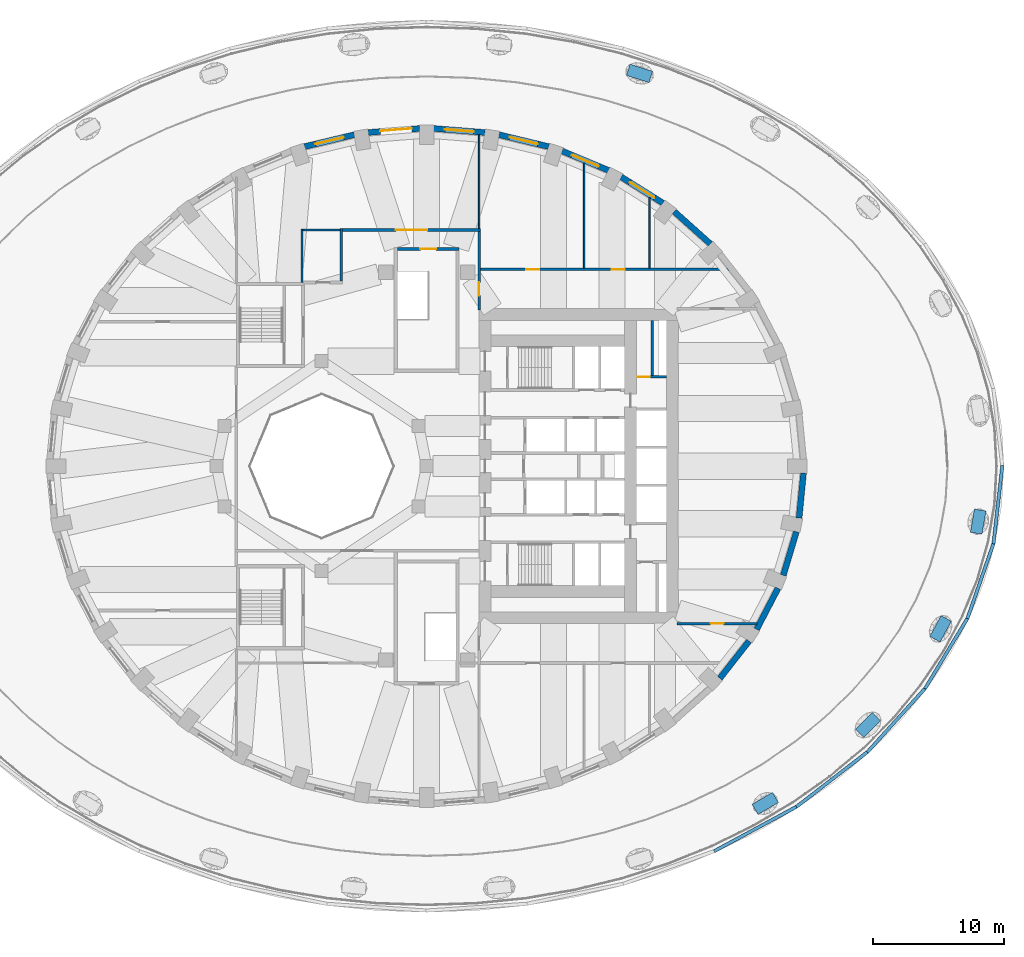
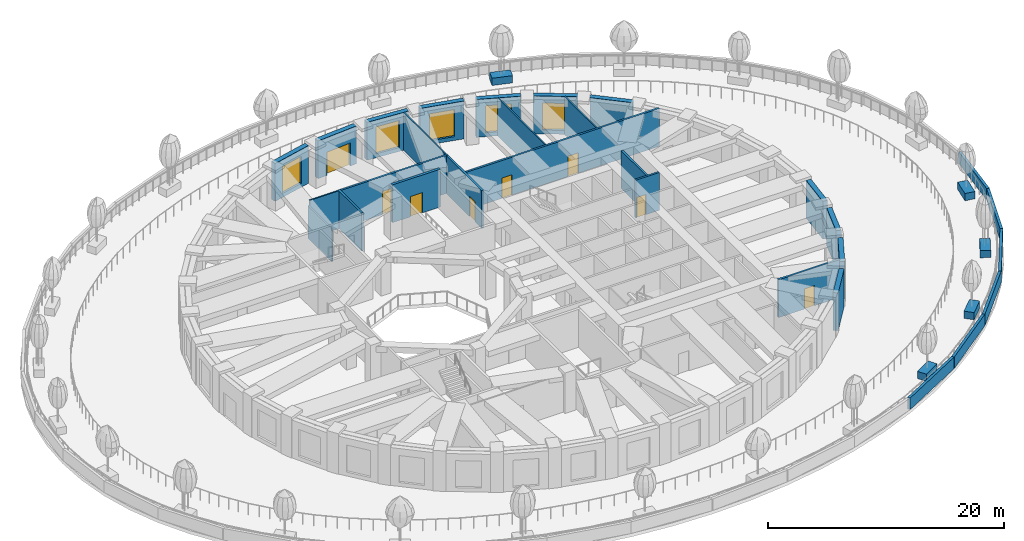
# One storey, part 7 of 17: 35 walls, 8 doors, 5 windows, 13 openings.
"""IFC4 building model written with IfcOpenShell, lengths in metres."""

from ifc_helpers import new_model, si_unit, direction, frame, frame_2d, origin, place, context, subcontext, project, spatial, rectangle, extrude, material, layer, layer_set, constituent, constituent_set, type_object, element, fill, save


model = new_model("IFC4")

# Units and contexts
model_context = context("Model", 3, precision=1e-05, world=origin(), true_north=direction((0.0, 1.0)))
body_context = subcontext(model_context, "Body", "Model", "MODEL_VIEW")
ifc_project = project(units=[si_unit("LENGTHUNIT", "METRE"), si_unit("AREAUNIT", "SQUARE_METRE"), si_unit("VOLUMEUNIT", "CUBIC_METRE"), si_unit("PLANEANGLEUNIT", "RADIAN"), si_unit("MASSUNIT", "GRAM", prefix="KILO")], contexts=[model_context])

# Site, building, storey
site_placement = place(None, origin())
site = spatial("IfcSite", under=ifc_project, at=site_placement, CompositionType="ELEMENT")
building_placement = place(site_placement, origin())
building = spatial("IfcBuilding", under=site, at=building_placement, Name="Taillehof Tower", CompositionType="ELEMENT")
storey_placement = place(building_placement, frame((0.0, 0.0, 17.5)))
storey = spatial("IfcBuildingStorey", under=building, at=storey_placement, Name="L03", CompositionType="ELEMENT", Elevation=17.5)

# Wall
ifc_material_1 = material(Name="Brick masonry", Category="masonry")
ifc_layer_1 = layer(ifc_material_1, 0.449951171875)
ifc_layer_set_1 = layer_set([ifc_layer_1], Name="Brick infill wall 450")
wall_type_1 = type_object("IfcWallType", Name="Brick infill wall 450", PredefinedType="SOLIDWALL", material=ifc_layer_set_1)
wall_1_placement = place(storey_placement, frame((21.626708984375, 16.943115234375, 0.0), z_axis=(0.0, 0.0, 1.0), x_axis=(-0.745526233716, 0.66647628228, 0.0)))
element("IfcWall", 1, at=wall_1_placement, inside=storey, type_object=wall_type_1, Name="Brick wall L03 bay 5", PredefinedType="SOLIDWALL", context=body_context, shape_type="SweptSolid", body=[
    extrude(rectangle(XDim=3.69677734375, YDim=0.449951171875, at=frame_2d((1.848388671875, 0.0))), origin(), (0.0, 0.0, 1.0), 3.919921875),
])

# Wall, opening, window
wall_2_placement = place(storey_placement, frame((18.02294921875, 20.043701171875, 0.0), z_axis=(0.0, 0.0, 1.0), x_axis=(-0.847635480093, 0.530579016629, 0.0)))
wall_2 = element("IfcWall", 2, at=wall_2_placement, inside=storey, type_object=wall_type_1, Name="Brick wall L03 bay 6", PredefinedType="SOLIDWALL", context=body_context, shape_type="SweptSolid", body=[
    extrude(rectangle(XDim=3.782470703125, YDim=0.449951171875, at=frame_2d((1.89111328125, 0.0))), origin(), (0.0, 0.0, 1.0), 3.919921875),
])
opening_1_placement = place(wall_2_placement, frame((0.791259765625, 0.0, 0.39990234375)))
opening_1 = element("IfcOpeningElement", 3, at=opening_1_placement, cuts=wall_2, Name="Opening W9", PredefinedType="OPENING", context=body_context, shape_type="SweptSolid", body=[
    extrude(rectangle(XDim=2.199951171875, YDim=2.800048828125, at=frame_2d((1.10009765625, 1.39990234375))), frame((0.0, 0.23486328125, 0.0), z_axis=(0.0, -1.0, 0.0), x_axis=(1.0, 0.0, 0.0)), (0.0, 0.0, 1.0), 0.469970703125),
])
ifc_material_2 = material(Name="Aluminium window frame with clear double glazing", Category="aluminium")
window_type = type_object("IfcWindowType", Name="Deep-set window 2200x2800", PartitioningType="SINGLE_PANEL", PredefinedType="WINDOW", material=ifc_material_2)
window_1_placement = place(opening_1_placement, origin())
window_1 = element("IfcWindow", 4, at=window_1_placement, inside=storey, type_object=window_type, Name="W9", OverallHeight=2.800048828125, OverallWidth=2.199951171875, PartitioningType="SINGLE_PANEL", PredefinedType="WINDOW", context=body_context, shape_type="SweptSolid", body=[
    extrude(rectangle(XDim=2.199951171875, YDim=2.800048828125, at=frame_2d((1.10009765625, 1.39990234375))), frame((0.0, 0.034912109375, 0.0), z_axis=(0.0, -1.0, 0.0), x_axis=(1.0, 0.0, 0.0)), (0.0, 0.0, 1.0), 0.06005859375),
])
fill(opening_1, window_1)

wall_3_placement = place(storey_placement, frame((13.875, 22.537353515625, 0.0), z_axis=(0.0, 0.0, 1.0), x_axis=(-0.923031964282, 0.384723267966, 0.0)))
wall_3 = element("IfcWall", 5, at=wall_3_placement, inside=storey, type_object=wall_type_1, Name="Brick wall L03 bay 7", PredefinedType="SOLIDWALL", context=body_context, shape_type="SweptSolid", body=[
    extrude(rectangle(XDim=3.8564453125, YDim=0.449951171875, at=frame_2d((1.92822265625, 0.0))), origin(), (0.0, 0.0, 1.0), 3.919921875),
])
opening_2_placement = place(wall_3_placement, frame((0.828125, 0.0, 0.39990234375)))
opening_2 = element("IfcOpeningElement", 6, at=opening_2_placement, cuts=wall_3, Name="Opening W9", PredefinedType="OPENING", context=body_context, shape_type="SweptSolid", body=[
    extrude(rectangle(XDim=2.199951171875, YDim=2.800048828125, at=frame_2d((1.10009765625, 1.39990234375))), frame((0.0, 0.23486328125, 0.0), z_axis=(0.0, -1.0, 0.0), x_axis=(1.0, 0.0, 0.0)), (0.0, 0.0, 1.0), 0.469970703125),
])
window_2_placement = place(opening_2_placement, origin())
window_2 = element("IfcWindow", 7, at=window_2_placement, inside=storey, type_object=window_type, Name="W9", OverallHeight=2.800048828125, OverallWidth=2.199951171875, PartitioningType="SINGLE_PANEL", PredefinedType="WINDOW", context=body_context, shape_type="SweptSolid", body=[
    extrude(rectangle(XDim=2.199951171875, YDim=2.800048828125, at=frame_2d((1.10009765625, 1.39990234375))), frame((0.0, 0.034912109375, 0.0), z_axis=(0.0, -1.0, 0.0), x_axis=(1.0, 0.0, 0.0)), (0.0, 0.0, 1.0), 0.06005859375),
])
fill(opening_2, window_2)

wall_4_placement = place(storey_placement, frame((9.3076171875, 24.349609375, 0.0), z_axis=(0.0, 0.0, 1.0), x_axis=(-0.972496561493, 0.232917233979, 0.0)))
wall_4 = element("IfcWall", 8, at=wall_4_placement, inside=storey, type_object=wall_type_1, Name="Brick wall L03 bay 8", PredefinedType="SOLIDWALL", context=body_context, shape_type="SweptSolid", body=[
    extrude(rectangle(XDim=3.910888671875, YDim=0.449951171875, at=frame_2d((1.95556640625, 0.0))), origin(), (0.0, 0.0, 1.0), 3.919921875),
])
opening_3_placement = place(wall_4_placement, frame((0.855224609375, 0.0, 0.39990234375)))
opening_3 = element("IfcOpeningElement", 9, at=opening_3_placement, cuts=wall_4, Name="Opening W9", PredefinedType="OPENING", context=body_context, shape_type="SweptSolid", body=[
    extrude(rectangle(XDim=2.199951171875, YDim=2.800048828125, at=frame_2d((1.10009765625, 1.39990234375))), frame((0.0, 0.23486328125, 0.0), z_axis=(0.0, -1.0, 0.0), x_axis=(1.0, 0.0, 0.0)), (0.0, 0.0, 1.0), 0.469970703125),
])
window_3_placement = place(opening_3_placement, origin())
window_3 = element("IfcWindow", 10, at=window_3_placement, inside=storey, type_object=window_type, Name="W9", OverallHeight=2.800048828125, OverallWidth=2.199951171875, PartitioningType="SINGLE_PANEL", PredefinedType="WINDOW", context=body_context, shape_type="SweptSolid", body=[
    extrude(rectangle(XDim=2.199951171875, YDim=2.800048828125, at=frame_2d((1.10009765625, 1.39990234375))), frame((0.0, 0.034912109375, 0.0), z_axis=(0.0, -1.0, 0.0), x_axis=(1.0, 0.0, 0.0)), (0.0, 0.0, 1.0), 0.06005859375),
])
fill(opening_3, window_3)

wall_5_placement = place(storey_placement, frame((4.457275390625, 25.42578125, 0.0), z_axis=(0.0, 0.0, 1.0), x_axis=(-0.996955972145, 0.077966592873, 0.0)))
wall_5 = element("IfcWall", 11, at=wall_5_placement, inside=storey, type_object=wall_type_1, Name="Brick wall L03 bay 9", PredefinedType="SOLIDWALL", context=body_context, shape_type="SweptSolid", body=[
    extrude(rectangle(XDim=3.939208984375, YDim=0.449951171875, at=frame_2d((1.9697265625, 0.0))), origin(), (0.0, 0.0, 1.0), 3.919921875),
])
opening_4_placement = place(wall_5_placement, frame((0.86962890625, 0.0, 0.39990234375)))
opening_4 = element("IfcOpeningElement", 12, at=opening_4_placement, cuts=wall_5, Name="Opening W9", PredefinedType="OPENING", context=body_context, shape_type="SweptSolid", body=[
    extrude(rectangle(XDim=2.199951171875, YDim=2.800048828125, at=frame_2d((1.10009765625, 1.39990234375))), frame((0.0, 0.23486328125, 0.0), z_axis=(0.0, -1.0, 0.0), x_axis=(1.0, 0.0, 0.0)), (0.0, 0.0, 1.0), 0.469970703125),
])
window_4_placement = place(opening_4_placement, origin())
window_4 = element("IfcWindow", 13, at=window_4_placement, inside=storey, type_object=window_type, Name="W9", OverallHeight=2.800048828125, OverallWidth=2.199951171875, PartitioningType="SINGLE_PANEL", PredefinedType="WINDOW", context=body_context, shape_type="SweptSolid", body=[
    extrude(rectangle(XDim=2.199951171875, YDim=2.800048828125, at=frame_2d((1.10009765625, 1.39990234375))), frame((0.0, 0.034912109375, 0.0), z_axis=(0.0, -1.0, 0.0), x_axis=(1.0, 0.0, 0.0)), (0.0, 0.0, 1.0), 0.06005859375),
])
fill(opening_4, window_4)

# Wall, opening, door
wall_6_placement = place(storey_placement, frame((-0.530029296875, 25.73291015625, 0.0), z_axis=(0.0, 0.0, 1.0), x_axis=(-0.996955972145, -0.077966592873, 0.0)))
wall_6 = element("IfcWall", 14, at=wall_6_placement, inside=storey, type_object=wall_type_1, Name="Brick wall L03 bay 10", PredefinedType="SOLIDWALL", context=body_context, shape_type="SweptSolid", body=[
    extrude(rectangle(XDim=3.939208984375, YDim=0.449951171875, at=frame_2d((1.9697265625, 0.0))), origin(), (0.0, 0.0, 1.0), 3.919921875),
])
opening_5_placement = place(wall_6_placement, frame((0.60009765625, 0.0, 0.0)))
opening_5 = element("IfcOpeningElement", 15, at=opening_5_placement, cuts=wall_6, Name="Opening D0391", PredefinedType="OPENING", context=body_context, shape_type="SweptSolid", body=[
    extrude(rectangle(XDim=2.39990234375, YDim=2.39990234375, at=frame_2d((1.199951171875, 1.199951171875))), frame((0.0, 0.23486328125, 0.0), z_axis=(0.0, -1.0, 0.0), x_axis=(1.0, 0.0, 0.0)), (0.0, 0.0, 1.0), 0.469970703125),
])
ifc_material_3 = material(Name="Aluminium door frame with clear laminated safety glass", Category="aluminium")
door_type_1 = type_object("IfcDoorType", Name="Terrace door 2400x2400", OperationType="DOUBLE_DOOR_DOUBLE_SWING", PredefinedType="DOOR", material=ifc_material_3)
door_1_placement = place(opening_5_placement, origin())
door_1 = element("IfcDoor", 16, at=door_1_placement, inside=storey, type_object=door_type_1, Name="Door D0391", OperationType="DOUBLE_DOOR_SINGLE_SWING", OverallHeight=2.39990234375, OverallWidth=2.39990234375, PredefinedType="DOOR", context=body_context, shape_type="SweptSolid", body=[
    extrude(rectangle(XDim=2.39990234375, YDim=2.39990234375, at=frame_2d((1.199951171875, 1.199951171875))), frame((0.0, -0.02490234375, 0.0), z_axis=(0.0, -1.0, 0.0), x_axis=(1.0, 0.0, 0.0)), (0.0, 0.0, 1.0), 0.050048828125),
])
fill(opening_5, door_1)

# Wall, opening, window
wall_7_placement = place(storey_placement, frame((-5.50439453125, 25.260498046875, 0.0), z_axis=(0.0, 0.0, 1.0), x_axis=(-0.972496561493, -0.232917233979, 0.0)))
wall_7 = element("IfcWall", 17, at=wall_7_placement, inside=storey, type_object=wall_type_1, Name="Brick wall L03 bay 11", PredefinedType="SOLIDWALL", context=body_context, shape_type="SweptSolid", body=[
    extrude(rectangle(XDim=3.910888671875, YDim=0.449951171875, at=frame_2d((1.95556640625, 0.0))), origin(), (0.0, 0.0, 1.0), 3.919921875),
])
opening_6_placement = place(wall_7_placement, frame((0.855224609375, 0.0, 0.39990234375)))
opening_6 = element("IfcOpeningElement", 18, at=opening_6_placement, cuts=wall_7, Name="Opening W9", PredefinedType="OPENING", context=body_context, shape_type="SweptSolid", body=[
    extrude(rectangle(XDim=2.199951171875, YDim=2.800048828125, at=frame_2d((1.10009765625, 1.39990234375))), frame((0.0, 0.23486328125, 0.0), z_axis=(0.0, -1.0, 0.0), x_axis=(1.0, 0.0, 0.0)), (0.0, 0.0, 1.0), 0.469970703125),
])
window_5_placement = place(opening_6_placement, origin())
window_5 = element("IfcWindow", 19, at=window_5_placement, inside=storey, type_object=window_type, Name="W9", OverallHeight=2.800048828125, OverallWidth=2.199951171875, PartitioningType="SINGLE_PANEL", PredefinedType="WINDOW", context=body_context, shape_type="SweptSolid", body=[
    extrude(rectangle(XDim=2.199951171875, YDim=2.800048828125, at=frame_2d((1.10009765625, 1.39990234375))), frame((0.0, 0.034912109375, 0.0), z_axis=(0.0, -1.0, 0.0), x_axis=(1.0, 0.0, 0.0)), (0.0, 0.0, 1.0), 0.06005859375),
])
fill(opening_6, window_5)

# Walls
wall_8_placement = place(storey_placement, frame((22.3515625, -16.169677734375, 0.0), z_axis=(0.0, 0.0, 1.0), x_axis=(0.616661975264, 0.787228053529, 0.0)))
element("IfcWall", 20, at=wall_8_placement, inside=storey, type_object=wall_type_1, Name="Brick wall L03 bay 33", PredefinedType="SOLIDWALL", context=body_context, shape_type="SweptSolid", body=[
    extrude(rectangle(XDim=3.60986328125, YDim=0.449951171875, at=frame_2d((1.804931640625, 0.0))), origin(), (0.0, 0.0, 1.0), 3.919921875),
])
wall_9_placement = place(storey_placement, frame((25.152099609375, -12.436767578125, 0.0), z_axis=(0.0, 0.0, 1.0), x_axis=(0.462492775226, 0.886623050041, 0.0)))
element("IfcWall", 21, at=wall_9_placement, inside=storey, type_object=wall_type_1, Name="Brick wall L03 bay 34", PredefinedType="SOLIDWALL", context=body_context, shape_type="SweptSolid", body=[
    extrude(rectangle(XDim=3.531982421875, YDim=0.449951171875, at=frame_2d((1.76611328125, 0.0))), origin(), (0.0, 0.0, 1.0), 3.919921875),
])
wall_10_placement = place(storey_placement, frame((27.184814453125, -8.322998046875, 0.0), z_axis=(0.0, 0.0, 1.0), x_axis=(0.287064133733, 0.957911364963, 0.0)))
element("IfcWall", 22, at=wall_10_placement, inside=storey, type_object=wall_type_1, Name="Brick wall L03 bay 35", PredefinedType="SOLIDWALL", context=body_context, shape_type="SweptSolid", body=[
    extrude(rectangle(XDim=3.473388671875, YDim=0.449951171875, at=frame_2d((1.73681640625, 0.0))), origin(), (0.0, 0.0, 1.0), 3.919921875),
])
wall_11_placement = place(storey_placement, frame((28.38671875, -3.95556640625, 0.0), z_axis=(0.0, 0.0, 1.0), x_axis=(0.097389581596, 0.995246336038, 0.0)))
element("IfcWall", 23, at=wall_11_placement, inside=storey, type_object=wall_type_1, Name="Brick wall L03 bay 36", PredefinedType="SOLIDWALL", context=body_context, shape_type="SweptSolid", body=[
    extrude(rectangle(XDim=3.44189453125, YDim=0.449951171875, at=frame_2d((1.720947265625, 0.0))), origin(), (0.0, 0.0, 1.0), 3.919921875),
])

# Wall, opening, door
ifc_material_4 = material(Name="Calcium silicate blockwork", Category="masonry")
ifc_layer_2 = layer(ifc_material_4, 0.199951171875)
ifc_layer_set_2 = layer_set([ifc_layer_2], Name="Compartment wall EI 60 200 mm")
wall_type_2 = type_object("IfcWallType", Name="Compartment wall EI 60 200 mm", PredefinedType="PARTITIONING", material=ifc_layer_set_2)
wall_12_placement = place(storey_placement, frame((19.10009765625, -12.0, 0.0), z_axis=(0.0, 0.0, 1.0), x_axis=(1.0, 0.0, 0.0)))
wall_12 = element("IfcWall", 24, at=wall_12_placement, inside=storey, type_object=wall_type_2, Name="Wall L03-09 / L03-16", PredefinedType="PARTITIONING", context=body_context, shape_type="SweptSolid", body=[
    extrude(rectangle(XDim=6.081787109375, YDim=0.199951171875, at=frame_2d((3.041015625, 0.0))), origin(), (0.0, 0.0, 1.0), 3.919921875),
])
opening_7_placement = place(wall_12_placement, frame((2.541015625, 0.0, 0.0)))
opening_7 = element("IfcOpeningElement", 25, at=opening_7_placement, cuts=wall_12, Name="Opening D0347", PredefinedType="OPENING", context=body_context, shape_type="SweptSolid", body=[
    extrude(rectangle(XDim=1.0, YDim=2.10009765625, at=frame_2d((0.5, 1.050048828125))), frame((0.0, 0.10986328125, 0.0), z_axis=(0.0, -1.0, 0.0), x_axis=(1.0, 0.0, 0.0)), (0.0, 0.0, 1.0), 0.219970703125),
])
ifc_material_5 = material(Name="Hollow metal door set")
door_type_2 = type_object("IfcDoorType", Name="Single door 1000 x 2100 FD60S", OperationType="SINGLE_SWING_LEFT", PredefinedType="DOOR", material=ifc_material_5)
door_2_placement = place(opening_7_placement, origin())
door_2 = element("IfcDoor", 26, at=door_2_placement, inside=storey, type_object=door_type_2, Name="Door D0347", OperationType="SINGLE_SWING_RIGHT", OverallHeight=2.10009765625, OverallWidth=1.0, PredefinedType="DOOR", context=body_context, shape_type="SweptSolid", body=[
    extrude(rectangle(XDim=1.0, YDim=2.10009765625, at=frame_2d((0.5, 1.050048828125))), frame((0.0, 0.02490234375, 0.0), z_axis=(0.0, -1.0, 0.0), x_axis=(1.0, 0.0, 0.0)), (0.0, 0.0, 1.0), 0.050048828125),
])
fill(opening_7, door_2)

# Wall, openings, doors
wall_13_placement = place(storey_placement, frame((4.10009765625, 15.0, 0.0), z_axis=(0.0, 0.0, 1.0), x_axis=(1.0, 0.0, 0.0)))
wall_13 = element("IfcWall", 27, at=wall_13_placement, inside=storey, type_object=wall_type_2, Name="Wall L03-08 / L03-10", PredefinedType="PARTITIONING", context=body_context, shape_type="SweptSolid", body=[
    extrude(rectangle(XDim=18.96240234375, YDim=0.199951171875, at=frame_2d((9.481201171875, 0.0))), origin(), (0.0, 0.0, 1.0), 3.919921875),
])
opening_8_placement = place(wall_13_placement, frame((3.5, 0.0, 0.0)))
opening_8 = element("IfcOpeningElement", 28, at=opening_8_placement, cuts=wall_13, Name="Opening D0355", PredefinedType="OPENING", context=body_context, shape_type="SweptSolid", body=[
    extrude(rectangle(XDim=1.0, YDim=2.10009765625, at=frame_2d((0.5, 1.050048828125))), frame((0.0, 0.10986328125, 0.0), z_axis=(0.0, -1.0, 0.0), x_axis=(1.0, 0.0, 0.0)), (0.0, 0.0, 1.0), 0.219970703125),
])
opening_9_placement = place(wall_13_placement, frame((10.0, 0.0, 0.0)))
opening_9 = element("IfcOpeningElement", 29, at=opening_9_placement, cuts=wall_13, Name="Opening D0356", PredefinedType="OPENING", context=body_context, shape_type="SweptSolid", body=[
    extrude(rectangle(XDim=1.0, YDim=2.10009765625, at=frame_2d((0.5, 1.050048828125))), frame((0.0, 0.10986328125, 0.0), z_axis=(0.0, -1.0, 0.0), x_axis=(1.0, 0.0, 0.0)), (0.0, 0.0, 1.0), 0.219970703125),
])
door_3_placement = place(opening_8_placement, origin())
door_3 = element("IfcDoor", 30, at=door_3_placement, inside=storey, type_object=door_type_2, Name="Door D0355", OperationType="SINGLE_SWING_LEFT", OverallHeight=2.10009765625, OverallWidth=1.0, PredefinedType="DOOR", context=body_context, shape_type="SweptSolid", body=[
    extrude(rectangle(XDim=1.0, YDim=2.10009765625, at=frame_2d((0.5, 1.050048828125))), frame((0.0, 0.02490234375, 0.0), z_axis=(0.0, -1.0, 0.0), x_axis=(1.0, 0.0, 0.0)), (0.0, 0.0, 1.0), 0.050048828125),
])
fill(opening_8, door_3)
door_4_placement = place(opening_9_placement, origin())
door_4 = element("IfcDoor", 31, at=door_4_placement, inside=storey, type_object=door_type_2, Name="Door D0356", OperationType="SINGLE_SWING_RIGHT", OverallHeight=2.10009765625, OverallWidth=1.0, PredefinedType="DOOR", context=body_context, shape_type="SweptSolid", body=[
    extrude(rectangle(XDim=1.0, YDim=2.10009765625, at=frame_2d((0.5, 1.050048828125))), frame((0.0, 0.02490234375, 0.0), z_axis=(0.0, -1.0, 0.0), x_axis=(1.0, 0.0, 0.0)), (0.0, 0.0, 1.0), 0.050048828125),
])
fill(opening_9, door_4)

# Wall, opening, door
wall_14_placement = place(storey_placement, frame((-6.39990234375, 18.0, 0.0), z_axis=(0.0, 0.0, 1.0), x_axis=(1.0, 0.0, 0.0)))
wall_14 = element("IfcWall", 32, at=wall_14_placement, inside=storey, type_object=wall_type_2, Name="Wall L03-04 / L03-19", PredefinedType="PARTITIONING", context=body_context, shape_type="SweptSolid", body=[
    extrude(rectangle(XDim=10.5, YDim=0.199951171875, at=frame_2d((5.25, 0.0))), origin(), (0.0, 0.0, 1.0), 3.919921875),
])
opening_10_placement = place(wall_14_placement, frame((4.050048828125, 0.0, 0.0)))
opening_10 = element("IfcOpeningElement", 33, at=opening_10_placement, cuts=wall_14, Name="Opening D0358", PredefinedType="OPENING", context=body_context, shape_type="SweptSolid", body=[
    extrude(rectangle(XDim=2.39990234375, YDim=2.39990234375, at=frame_2d((1.199951171875, 1.199951171875))), frame((0.0, 0.10986328125, 0.0), z_axis=(0.0, -1.0, 0.0), x_axis=(1.0, 0.0, 0.0)), (0.0, 0.0, 1.0), 0.219970703125),
])
ifc_material_6 = material(Name="Glazed aluminium door set", Category="aluminium")
door_type_3 = type_object("IfcDoorType", Name="Glazed double door 2400 x 2400 FD60S", OperationType="DOUBLE_DOOR_SINGLE_SWING", PredefinedType="DOOR", material=ifc_material_6)
door_5_placement = place(opening_10_placement, origin())
door_5 = element("IfcDoor", 34, at=door_5_placement, inside=storey, type_object=door_type_3, Name="Door D0358", OperationType="DOUBLE_DOOR_SINGLE_SWING", OverallHeight=2.39990234375, OverallWidth=2.39990234375, PredefinedType="DOOR", context=body_context, shape_type="SweptSolid", body=[
    extrude(rectangle(XDim=2.39990234375, YDim=2.39990234375, at=frame_2d((1.199951171875, 1.199951171875))), frame((0.0, 0.02490234375, 0.0), z_axis=(0.0, -1.0, 0.0), x_axis=(1.0, 0.0, 0.0)), (0.0, 0.0, 1.0), 0.050048828125),
])
fill(opening_10, door_5)

# Wall
wall_15_placement = place(storey_placement, frame((-6.5, 14.10009765625, 0.0), z_axis=(0.0, 0.0, 1.0), x_axis=(0.0, 1.0, 0.0)))
element("IfcWall", 35, at=wall_15_placement, inside=storey, type_object=wall_type_2, Name="Wall L03-03 / L03-19", PredefinedType="PARTITIONING", context=body_context, shape_type="SweptSolid", body=[
    extrude(rectangle(XDim=4.0, YDim=0.199951171875, at=frame_2d((2.0, 0.0))), origin(), (0.0, 0.0, 1.0), 3.919921875),
])

# Wall, opening, door
wall_16_placement = place(storey_placement, frame((4.0, 11.89990234375, 0.0), z_axis=(0.0, 0.0, 1.0), x_axis=(0.0, 1.0, 0.0)))
wall_16 = element("IfcWall", 36, at=wall_16_placement, inside=storey, type_object=wall_type_2, Name="Wall L03-08 / L03-19", PredefinedType="PARTITIONING", context=body_context, shape_type="SweptSolid", body=[
    extrude(rectangle(XDim=6.0, YDim=0.199951171875, at=frame_2d((3.0, 0.0))), origin(), (0.0, 0.0, 1.0), 3.919921875),
])
opening_11_placement = place(wall_16_placement, frame((1.10009765625, 0.0, 0.0)))
opening_11 = element("IfcOpeningElement", 37, at=opening_11_placement, cuts=wall_16, Name="Opening D0353", PredefinedType="OPENING", context=body_context, shape_type="SweptSolid", body=[
    extrude(rectangle(XDim=1.0, YDim=2.10009765625, at=frame_2d((0.5, 1.050048828125))), frame((0.0, 0.10986328125, 0.0), z_axis=(0.0, -1.0, 0.0), x_axis=(1.0, 0.0, 0.0)), (0.0, 0.0, 1.0), 0.219970703125),
])
door_6_placement = place(opening_11_placement, origin())
door_6 = element("IfcDoor", 38, at=door_6_placement, inside=storey, type_object=door_type_2, Name="Door D0353", OperationType="SINGLE_SWING_LEFT", OverallHeight=2.10009765625, OverallWidth=1.0, PredefinedType="DOOR", context=body_context, shape_type="SweptSolid", body=[
    extrude(rectangle(XDim=1.0, YDim=2.10009765625, at=frame_2d((0.5, 1.050048828125))), frame((0.0, 0.02490234375, 0.0), z_axis=(0.0, -1.0, 0.0), x_axis=(1.0, 0.0, 0.0)), (0.0, 0.0, 1.0), 0.050048828125),
])
fill(opening_11, door_6)

ifc_material_7 = material(Name="Calcium silicate masonry", Category="masonry")
ifc_layer_3 = layer(ifc_material_7, 0.199951171875)
ifc_layer_set_3 = layer_set([ifc_layer_3], Name="Compartment wall calcium silicate 200")
wall_type_3 = type_object("IfcWallType", Name="Compartment wall calcium silicate 200", PredefinedType="PARTITIONING", material=ifc_layer_set_3)
wall_17_placement = place(storey_placement, frame((16.0, 6.800048828125, 0.0), z_axis=(0.0, 0.0, 1.0), x_axis=(1.0, 0.0, 0.0)))
wall_17 = element("IfcWall", 39, at=wall_17_placement, inside=storey, type_object=wall_type_3, Name="Compartment wall FW", PredefinedType="PARTITIONING", context=body_context, shape_type="SweptSolid", body=[
    extrude(rectangle(XDim=2.300048828125, YDim=0.199951171875, at=frame_2d((1.14990234375, 0.0))), origin(), (0.0, 0.0, 1.0), 3.919921875),
])
opening_12_placement = place(wall_17_placement, frame((0.10009765625, 0.0, 0.0)))
opening_12 = element("IfcOpeningElement", 40, at=opening_12_placement, cuts=wall_17, Name="Opening D0314", PredefinedType="OPENING", context=body_context, shape_type="SweptSolid", body=[
    extrude(rectangle(XDim=0.89990234375, YDim=2.10009765625, at=frame_2d((0.449951171875, 1.050048828125))), frame((0.0, 0.10986328125, 0.0), z_axis=(0.0, -1.0, 0.0), x_axis=(1.0, 0.0, 0.0)), (0.0, 0.0, 1.0), 0.219970703125),
])
ifc_material_8 = material(Name="Steel-faced fire door", Category="steel")
door_type_4 = type_object("IfcDoorType", Name="Riser and service room door 900x2100", OperationType="SINGLE_SWING_LEFT", PredefinedType="DOOR", material=ifc_material_8)
door_7_placement = place(opening_12_placement, origin())
door_7 = element("IfcDoor", 41, at=door_7_placement, inside=storey, type_object=door_type_4, Name="Door Comms Room", OperationType="SINGLE_SWING_RIGHT", OverallHeight=2.10009765625, OverallWidth=0.89990234375, PredefinedType="DOOR", context=body_context, shape_type="SweptSolid", body=[
    extrude(rectangle(XDim=0.89990234375, YDim=2.10009765625, at=frame_2d((0.449951171875, 1.050048828125))), frame((0.0, 0.02490234375, 0.0), z_axis=(0.0, -1.0, 0.0), x_axis=(1.0, 0.0, 0.0)), (0.0, 0.0, 1.0), 0.050048828125),
])
fill(opening_12, door_7)

# Walls
wall_18_placement = place(storey_placement, frame((17.199951171875, 6.89990234375, 0.0), z_axis=(0.0, 0.0, 1.0), x_axis=(0.0, 1.0, 0.0)))
element("IfcWall", 42, at=wall_18_placement, inside=storey, type_object=wall_type_3, Name="Compartment wall FW", PredefinedType="PARTITIONING", context=body_context, shape_type="SweptSolid", body=[
    extrude(rectangle(XDim=4.2001953125, YDim=0.199951171875, at=frame_2d((2.10009765625, 0.0))), origin(), (0.0, 0.0, 1.0), 3.919921875),
])
ifc_material_9 = material(Name="Brick masonry", Category="masonry")
ifc_constituent_1 = constituent(ifc_material_9, Name="Wall", Category="masonry")
ifc_material_10 = material(Name="Concrete C30/37 precast", Category="concrete")
ifc_constituent_2 = constituent(ifc_material_10, Name="Coping", Category="concrete")
ifc_constituent_set_1 = constituent_set(constituents=[ifc_constituent_1, ifc_constituent_2], Name="Parapet 250")
wall_type_4 = type_object("IfcWallType", Name="Parapet 250", PredefinedType="PARAPET", material=ifc_constituent_set_1)
wall_19_placement = place(storey_placement, frame((21.9140625, -29.34912109375, 0.0), z_axis=(0.0, 0.0, 1.0), x_axis=(0.879522517586, 0.47585726963, 0.0)))
element("IfcWall", 43, at=wall_19_placement, inside=storey, type_object=wall_type_4, Name="Parapet 31", PredefinedType="PARAPET", context=body_context, shape_type="SweptSolid", body=[
    extrude(rectangle(XDim=7.203369140625, YDim=0.25, at=frame_2d((3.6015625, 0.0))), origin(), (0.0, 0.0, 1.0), 1.199951171875),
])
wall_20_placement = place(storey_placement, frame((28.1826171875, -25.96484375, 0.0), z_axis=(0.0, 0.0, 1.0), x_axis=(0.791289661017, 0.611441470926, 0.0)))
element("IfcWall", 44, at=wall_20_placement, inside=storey, type_object=wall_type_4, Name="Parapet 32", PredefinedType="PARAPET", context=body_context, shape_type="SweptSolid", body=[
    extrude(rectangle(XDim=6.91357421875, YDim=0.25, at=frame_2d((3.456787109375, 0.0))), origin(), (0.0, 0.0, 1.0), 1.199951171875),
])
wall_21_placement = place(storey_placement, frame((33.59326171875, -21.793212890625, 0.0), z_axis=(0.0, 0.0, 1.0), x_axis=(0.671466201745, 0.741035181293, 0.0)))
element("IfcWall", 45, at=wall_21_placement, inside=storey, type_object=wall_type_4, Name="Parapet 33", PredefinedType="PARAPET", context=body_context, shape_type="SweptSolid", body=[
    extrude(rectangle(XDim=6.611572265625, YDim=0.25, at=frame_2d((3.3056640625, 0.0))), origin(), (0.0, 0.0, 1.0), 1.199951171875),
])
wall_22_placement = place(storey_placement, frame((37.982666015625, -16.961181640625, 0.0), z_axis=(0.0, 0.0, 1.0), x_axis=(0.516642556981, 0.856201184486, 0.0)))
element("IfcWall", 46, at=wall_22_placement, inside=storey, type_object=wall_type_4, Name="Parapet 34", PredefinedType="PARAPET", context=body_context, shape_type="SweptSolid", body=[
    extrude(rectangle(XDim=6.333740234375, YDim=0.25, at=frame_2d((3.1669921875, 0.0))), origin(), (0.0, 0.0, 1.0), 1.199951171875),
])
wall_23_placement = place(storey_placement, frame((41.218505859375, -11.6162109375, 0.0), z_axis=(0.0, 0.0, 1.0), x_axis=(0.327635342702, 0.94480425603, 0.0)))
element("IfcWall", 47, at=wall_23_placement, inside=storey, type_object=wall_type_4, Name="Parapet 35", PredefinedType="PARAPET", context=body_context, shape_type="SweptSolid", body=[
    extrude(rectangle(XDim=6.119140625, YDim=0.25, at=frame_2d((3.0595703125, 0.0))), origin(), (0.0, 0.0, 1.0), 1.199951171875),
])
wall_24_placement = place(storey_placement, frame((43.2041015625, -5.919921875, 0.0), z_axis=(0.0, 0.0, 1.0), x_axis=(0.112471586398, 0.993654941241, 0.0)))
element("IfcWall", 48, at=wall_24_placement, inside=storey, type_object=wall_type_4, Name="Parapet 36", PredefinedType="PARAPET", context=body_context, shape_type="SweptSolid", body=[
    extrude(rectangle(XDim=6.001953125, YDim=0.25, at=frame_2d((3.0009765625, 0.0))), origin(), (0.0, 0.0, 1.0), 1.199951171875),
])
ifc_material_11 = material(Name="Gypsum board partition on steel studs", Category="steel")
ifc_layer_4 = layer(ifc_material_11, 0.125)
ifc_layer_set_4 = layer_set([ifc_layer_4], Name="Partition wall EI 30 125 mm")
wall_type_5 = type_object("IfcWallType", Name="Partition wall EI 30 125 mm", PredefinedType="PARTITIONING", material=ifc_layer_set_4)
wall_25_placement = place(storey_placement, frame((-9.4375, 18.0, 0.0), z_axis=(0.0, 0.0, 1.0), x_axis=(1.0, 0.0, 0.0)))
element("IfcWall", 49, at=wall_25_placement, inside=storey, type_object=wall_type_5, Name="Wall L03-03 / L03-04", PredefinedType="PARTITIONING", context=body_context, shape_type="SweptSolid", body=[
    extrude(rectangle(XDim=2.83740234375, YDim=0.125, at=frame_2d((1.418701171875, 0.0))), origin(), (0.0, 0.0, 1.0), 3.919921875),
])
wall_26_placement = place(storey_placement, frame((-9.5, 13.998046875, 0.0), z_axis=(0.0, 0.0, 1.0), x_axis=(0.0, 1.0, 0.0)))
element("IfcWall", 50, at=wall_26_placement, inside=storey, type_object=wall_type_5, Name="Wall L03-03 / L03-04", PredefinedType="PARTITIONING", context=body_context, shape_type="SweptSolid", body=[
    extrude(rectangle(XDim=4.064453125, YDim=0.125, at=frame_2d((2.0322265625, 0.0))), origin(), (0.0, 0.0, 1.0), 3.3701171875),
])
wall_27_placement = place(storey_placement, frame((4.0, 18.10009765625, 0.0), z_axis=(0.0, 0.0, 1.0), x_axis=(0.0, 1.0, 0.0)))
element("IfcWall", 51, at=wall_27_placement, inside=storey, type_object=wall_type_5, Name="Wall L03-04 / L03-10", PredefinedType="PARTITIONING", context=body_context, shape_type="SweptSolid", body=[
    extrude(rectangle(XDim=7.1416015625, YDim=0.125, at=frame_2d((3.57080078125, 0.0))), origin(), (0.0, 0.0, 1.0), 3.919921875),
])
wall_28_placement = place(storey_placement, frame((12.0, 15.10009765625, 0.0), z_axis=(0.0, 0.0, 1.0), x_axis=(0.0, 1.0, 0.0)))
element("IfcWall", 52, at=wall_28_placement, inside=storey, type_object=wall_type_5, Name="Wall L03-10 / L03-11", PredefinedType="PARTITIONING", context=body_context, shape_type="SweptSolid", body=[
    extrude(rectangle(XDim=8.002197265625, YDim=0.125, at=frame_2d((4.0009765625, 0.0))), origin(), (0.0, 0.0, 1.0), 3.919921875),
])
wall_29_placement = place(storey_placement, frame((17.0, 15.10009765625, 0.0), z_axis=(0.0, 0.0, 1.0), x_axis=(0.0, 1.0, 0.0)))
element("IfcWall", 53, at=wall_29_placement, inside=storey, type_object=wall_type_5, Name="Wall L03-11 / L03-12", PredefinedType="PARTITIONING", context=body_context, shape_type="SweptSolid", body=[
    extrude(rectangle(XDim=5.357421875, YDim=0.125, at=frame_2d((2.6787109375, 0.0))), origin(), (0.0, 0.0, 1.0), 3.919921875),
])

# Wall, opening, door
ifc_material_12 = material(Name="Concrete C40/50", Category="concrete")
ifc_layer_5 = layer(ifc_material_12, 0.25)
ifc_layer_set_5 = layer_set([ifc_layer_5], Name="Stair wall EI 120 250 mm")
wall_type_6 = type_object("IfcWallType", Name="Stair wall EI 120 250 mm", PredefinedType="SOLIDWALL", material=ifc_layer_set_5)
wall_30_placement = place(storey_placement, frame((-2.22509765625, 16.544921875, 0.0), z_axis=(0.0, 0.0, 1.0), x_axis=(1.0, 0.0, 0.0)))
wall_30 = element("IfcWall", 54, at=wall_30_placement, inside=storey, type_object=wall_type_6, Name="Wall L03-01 / L03-19", PredefinedType="SOLIDWALL", context=body_context, shape_type="SweptSolid", body=[
    extrude(rectangle(XDim=4.7001953125, YDim=0.25, at=frame_2d((2.35009765625, 0.0))), origin(), (0.0, 0.0, 1.0), 3.919921875),
])
opening_13_placement = place(wall_30_placement, frame((1.75, 0.0, 0.0)))
opening_13 = element("IfcOpeningElement", 55, at=opening_13_placement, cuts=wall_30, Name="Opening D0357", PredefinedType="OPENING", context=body_context, shape_type="SweptSolid", body=[
    extrude(rectangle(XDim=1.199951171875, YDim=2.10009765625, at=frame_2d((0.60009765625, 1.050048828125))), frame((0.0, 0.135009765625, 0.0), z_axis=(0.0, -1.0, 0.0), x_axis=(1.0, 0.0, 0.0)), (0.0, 0.0, 1.0), 0.27001953125),
])
ifc_material_13 = material(Name="Hollow metal door set")
door_type_5 = type_object("IfcDoorType", Name="Single door 1200 x 2100 FD120S", OperationType="SINGLE_SWING_LEFT", PredefinedType="DOOR", material=ifc_material_13)
door_8_placement = place(opening_13_placement, origin())
door_8 = element("IfcDoor", 56, at=door_8_placement, inside=storey, type_object=door_type_5, Name="Door D0357", OperationType="SINGLE_SWING_LEFT", OverallHeight=2.10009765625, OverallWidth=1.199951171875, PredefinedType="DOOR", context=body_context, shape_type="SweptSolid", body=[
    extrude(rectangle(XDim=1.199951171875, YDim=2.10009765625, at=frame_2d((0.60009765625, 1.050048828125))), frame((0.0, 0.02490234375, 0.0), z_axis=(0.0, -1.0, 0.0), x_axis=(1.0, 0.0, 0.0)), (0.0, 0.0, 1.0), 0.050048828125),
])
fill(opening_13, door_8)

# Walls
ifc_material_14 = material(Name="Concrete C30/37 precast", Category="concrete")
ifc_constituent_3 = constituent(ifc_material_14, Name="Structure", Category="concrete")
ifc_material_15 = material(Name="Insulated lining")
ifc_constituent_4 = constituent(ifc_material_15, Name="Lining")
ifc_constituent_set_2 = constituent_set(constituents=[ifc_constituent_3, ifc_constituent_4], Name="Terrace planter 900x750")
wall_type_7 = type_object("IfcWallType", Name="Terrace planter 900x750", PredefinedType="USERDEFINED", material=ifc_constituent_set_2)
for number, where, z_axis, x_axis, name in (
    (57, (17.083740234375, 29.662109375, 0.0), (0.0, 0.0, 1.0), (-0.953375400582, 0.301786920799, 0.0), "Terrace planter 5"),
    (58, (25.03515625, -26.159912109375, 0.0), (0.0, 0.0, 1.0), (0.862655115123, 0.505792598159, 0.0), "Terrace planter 21"),
):
    element("IfcWall", number, at=place(storey_placement, frame(where, z_axis=z_axis, x_axis=x_axis)), inside=storey, type_object=wall_type_7, Name=name, ObjectType="PLANTER", PredefinedType="USERDEFINED", context=body_context, shape_type="SweptSolid", body=[
        extrude(rectangle(XDim=1.800048828125, YDim=0.89990234375, at=frame_2d((0.89990234375, 0.0))), origin(), (0.0, 0.0, 1.0), 0.75),
    ])
wall_31_placement = place(storey_placement, frame((33.00048828125, -20.35888671875, 0.0), z_axis=(0.0, 0.0, 1.0), x_axis=(0.708597276277, 0.705613137671, 0.0)))
element("IfcWall", 59, at=wall_31_placement, inside=storey, type_object=wall_type_7, Name="Terrace planter 22", ObjectType="PLANTER", PredefinedType="USERDEFINED", context=body_context, shape_type="SweptSolid", body=[
    extrude(rectangle(XDim=1.7998046875, YDim=0.89990234375, at=frame_2d((0.89990234375, 0.0))), origin(), (0.0, 0.0, 1.0), 0.75),
])
for number, where, z_axis, x_axis, name in (
    (60, (38.74365234375, -13.190185546875, 0.0), (0.0, 0.0, 1.0), (0.476484130097, 0.879183071815, 0.0), "Terrace planter 23"),
    (61, (41.884521484375, -5.115966796875, 0.0), (0.0, 0.0, 1.0), (0.169806995264, 0.985477338329, 0.0), "Terrace planter 24"),
):
    element("IfcWall", number, at=place(storey_placement, frame(where, z_axis=z_axis, x_axis=x_axis)), inside=storey, type_object=wall_type_7, Name=name, ObjectType="PLANTER", PredefinedType="USERDEFINED", context=body_context, shape_type="SweptSolid", body=[
        extrude(rectangle(XDim=1.800048828125, YDim=0.89990234375, at=frame_2d((0.89990234375, 0.0))), origin(), (0.0, 0.0, 1.0), 0.75),
    ])

save(model, "model.ifc")
